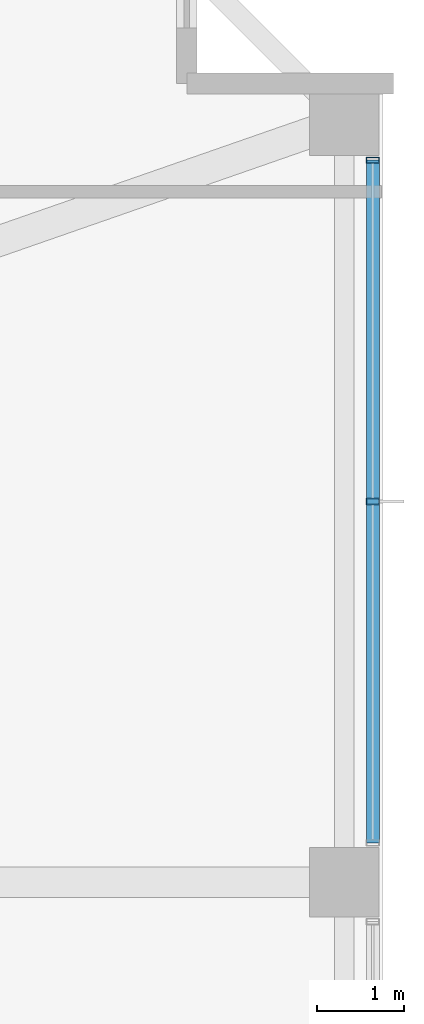
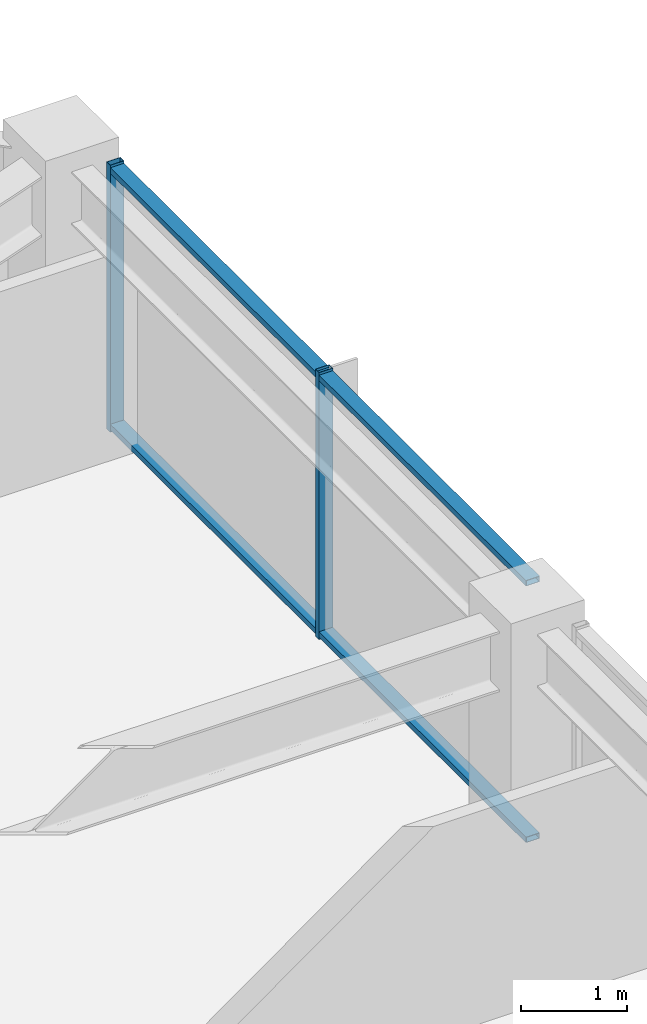
# One storey, part 21 of 36: 4 members, 1 element without a shape of its own.
"""IFC4 building model written with IfcOpenShell, lengths in metres."""

from ifc_helpers import new_model, si_unit, direction, frame, origin, origin_2d, place, context, subcontext, project, spatial, hollow_rectangle, extrude, material, material_profile, profile_set, type_object, element, aggregate, save


model = new_model("IFC4")

# Units and contexts
model_context = context("Model", 3, precision=1e-05, world=origin(), true_north=direction((0.0, 1.0)))
body_context = subcontext(model_context, "Body", "Model", "MODEL_VIEW")
ifc_project = project(units=[si_unit("LENGTHUNIT", "METRE"), si_unit("AREAUNIT", "SQUARE_METRE"), si_unit("VOLUMEUNIT", "CUBIC_METRE"), si_unit("PLANEANGLEUNIT", "RADIAN"), si_unit("MASSUNIT", "GRAM", prefix="KILO")], contexts=[model_context])

# Site, building, storey
site_placement = place(None, origin())
site = spatial("IfcSite", under=ifc_project, at=site_placement, CompositionType="ELEMENT")
building_placement = place(site_placement, origin())
building = spatial("IfcBuilding", under=site, at=building_placement, Name="Kolvaren Belvedere", CompositionType="ELEMENT")
storey_placement = place(building_placement, frame((0.0, 0.0, 226.199951171875)))
storey = spatial("IfcBuildingStorey", under=building, at=storey_placement, Name="L66", CompositionType="ELEMENT", Elevation=226.199951171875)

# Curtain wall, members
ifc_material_1 = material(Name="Anodised pale-metal aluminium AA 6063-T6", Category="aluminium")
curtain_wall_type = type_object("IfcCurtainWallType", Name="CW-Z5-HIGH", PredefinedType="NOTDEFINED", material=ifc_material_1)
curtain_wall_placement = place(storey_placement, origin())
curtain_wall = element("IfcCurtainWall", 1, at=curtain_wall_placement, inside=storey, type_object=curtain_wall_type, Name="L66 Unitised Curtain Wall FCW-L66-E-B1", PredefinedType="NOTDEFINED")
ifc_material_2 = material(Name="Anodised pale-metal aluminium AA 6063-T6", Category="aluminium")
ifc_material_profile_1 = material_profile(ifc_material_2, hollow_rectangle(XDim=0.070068359375, YDim=0.14990234375, WallThickness=0.004150390625, at=origin_2d()), Name="ALU-MUL-150X70")
ifc_profile_set_1 = profile_set([ifc_material_profile_1], Name="Anodised pale-metal aluminium AA 6063-T6")
member_type_1 = type_object("IfcMemberType", Name="CW-MUL-150", PredefinedType="MULLION", material=ifc_profile_set_1)
member_1_placement = place(storey_placement, frame((20.280029296875, 12.945068359375, 0.0), z_axis=(0.0, 0.0, 1.0), x_axis=(0.0, 1.0, 0.0)))
member_1 = element("IfcMember", 2, at=member_1_placement, type_object=member_type_1, Name="FCW-L66-E-B1 Unitised Mullion 1", PredefinedType="MULLION", context=body_context, shape_type="SweptSolid", body=[
    extrude(hollow_rectangle(XDim=0.070068359375, YDim=0.14990234375, WallThickness=0.004150390625, at=origin_2d()), origin(), (0.0, 0.0, 1.0), 3.080078125),
])
member_2_placement = place(storey_placement, frame((20.280029296875, 9.0, 0.0), z_axis=(0.0, 0.0, 1.0), x_axis=(0.0, 1.0, 0.0)))
member_2 = element("IfcMember", 3, at=member_2_placement, type_object=member_type_1, Name="FCW-L66-E-B1 Unitised Mullion 2", PredefinedType="MULLION", context=body_context, shape_type="SweptSolid", body=[
    extrude(hollow_rectangle(XDim=0.070068359375, YDim=0.14990234375, WallThickness=0.004150390625, at=origin_2d()), origin(), (0.0, 0.0, 1.0), 3.080078125),
])
ifc_material_3 = material(Name="Anodised pale-metal aluminium AA 6063-T6", Category="aluminium")
ifc_material_profile_2 = material_profile(ifc_material_3, hollow_rectangle(XDim=0.06494140625, YDim=0.14990234375, WallThickness=0.00390625, at=origin_2d()), Name="ALU-TRN-150X65")
ifc_profile_set_2 = profile_set([ifc_material_profile_2], Name="Anodised pale-metal aluminium AA 6063-T6")
member_type_2 = type_object("IfcMemberType", Name="CW-TRN-150", PredefinedType="USERDEFINED", material=ifc_profile_set_2)
member_3_placement = place(storey_placement, frame((20.280029296875, 12.945068359375, 0.06005859375), z_axis=(0.0, -1.0, 0.0), x_axis=(0.0, 0.0, 1.0)))
member_3 = element("IfcMember", 4, at=member_3_placement, type_object=member_type_2, Name="FCW-L66-E-B1 Sill Transom", ObjectType="TRANSOM", PredefinedType="USERDEFINED", context=body_context, shape_type="SweptSolid", body=[
    extrude(hollow_rectangle(XDim=0.06494140625, YDim=0.14990234375, WallThickness=0.00390625, at=origin_2d()), origin(), (0.0, 0.0, 1.0), 7.89013671875),
])
member_4_placement = place(storey_placement, frame((20.280029296875, 12.945068359375, 3.02001953125), z_axis=(0.0, -1.0, 0.0), x_axis=(0.0, 0.0, 1.0)))
member_4 = element("IfcMember", 5, at=member_4_placement, type_object=member_type_2, Name="FCW-L66-E-B1 Head Transom", ObjectType="TRANSOM", PredefinedType="USERDEFINED", context=body_context, shape_type="SweptSolid", body=[
    extrude(hollow_rectangle(XDim=0.06494140625, YDim=0.14990234375, WallThickness=0.00390625, at=origin_2d()), origin(), (0.0, 0.0, 1.0), 7.89013671875),
])
aggregate(curtain_wall, [member_1, member_2, member_3, member_4])

save(model, "model.ifc")
